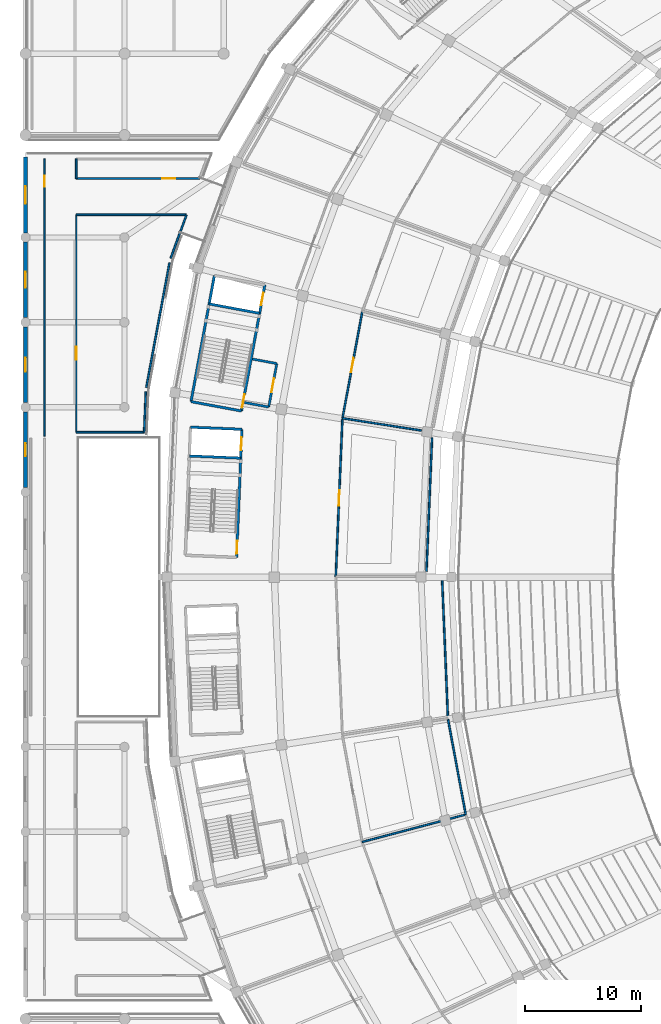
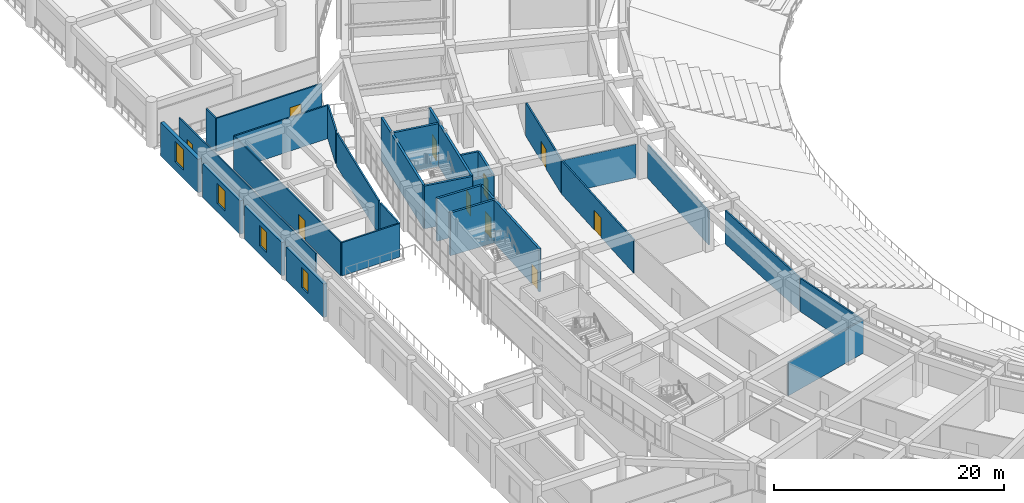
# One storey, part 100 of 152: 30 walls, 10 doors, 4 windows, 14 openings.
"""IFC4 building model written with IfcOpenShell, lengths in metres."""

from ifc_helpers import new_model, si_unit, direction, frame, frame_2d, origin, place, context, subcontext, project, spatial, rectangle, extrude, material, layer, layer_set, type_object, element, fill, save


model = new_model("IFC4")

# Units and contexts
model_context = context("Model", 3, precision=1e-05, world=origin(), true_north=direction((0.0, 1.0)))
body_context = subcontext(model_context, "Body", "Model", "MODEL_VIEW")
ifc_project = project(units=[si_unit("LENGTHUNIT", "METRE"), si_unit("AREAUNIT", "SQUARE_METRE"), si_unit("VOLUMEUNIT", "CUBIC_METRE"), si_unit("PLANEANGLEUNIT", "RADIAN"), si_unit("MASSUNIT", "GRAM", prefix="KILO")], contexts=[model_context])

# Site, building, storey
site_placement = place(None, origin())
site = spatial("IfcSite", under=ifc_project, at=site_placement, CompositionType="ELEMENT")
building_placement = place(site_placement, origin())
building = spatial("IfcBuilding", under=site, at=building_placement, Name="Mphavela Belvedere Stadium", CompositionType="ELEMENT")
storey_placement = place(building_placement, frame((0.0, 0.0, 5.39990234375)))
storey = spatial("IfcBuildingStorey", under=building, at=storey_placement, Name="L01", CompositionType="ELEMENT", Elevation=5.39990234375)

# Walls
ifc_material_1 = material(Name="Concrete C40/50", Category="concrete")
ifc_layer_1 = layer(ifc_material_1, 0.219970703125)
ifc_layer_set_1 = layer_set([ifc_layer_1], Name="Concrete C40/50")
wall_type_1 = type_object("IfcWallType", Name="WAL-CORE-SHEAR-220", PredefinedType="SHEAR", material=ifc_layer_set_1)
wall_1_placement = place(storey_placement, frame((14.228271484375, 102.085205078125, 0.0), z_axis=(0.0, 0.0, 1.0), x_axis=(0.182574755222, 0.983191974517, 0.0)))
element("IfcWall", 1, at=wall_1_placement, inside=storey, type_object=wall_type_1, Name="Core C06 shear wall L01 rear", PredefinedType="SHEAR", context=body_context, shape_type="SweptSolid", body=[
    extrude(rectangle(XDim=11.02001953125, YDim=0.219970703125, at=frame_2d((5.510009765625, 0.0))), origin(), (0.0, 0.0, 1.0), 4.550048828125),
])
wall_2_placement = place(storey_placement, frame((18.56396484375, 101.27978515625, 0.0), z_axis=(0.0, 0.0, 1.0), x_axis=(-0.983179789985, 0.182640358532, 0.0)))
element("IfcWall", 2, at=wall_2_placement, inside=storey, type_object=wall_type_1, Name="Core C06 shear wall L01 left", PredefinedType="SHEAR", context=body_context, shape_type="SweptSolid", body=[
    extrude(rectangle(XDim=4.409912109375, YDim=0.219970703125, at=frame_2d((2.205078125, 0.0))), origin(), (0.0, 0.0, 1.0), 4.550048828125),
])

# Wall, openings, doors
wall_3_placement = place(storey_placement, frame((18.56396484375, 101.27978515625, 0.0), z_axis=(0.0, 0.0, 1.0), x_axis=(0.182570778451, 0.983192712979, 0.0)))
wall_3 = element("IfcWall", 3, at=wall_3_placement, inside=storey, type_object=wall_type_1, Name="Core C06 shear wall L01 front", PredefinedType="SHEAR", context=body_context, shape_type="SweptSolid", body=[
    extrude(rectangle(XDim=11.020263671875, YDim=0.219970703125, at=frame_2d((5.51025390625, 0.0))), origin(), (0.0, 0.0, 1.0), 4.550048828125),
])
opening_1_placement = place(wall_3_placement, frame((0.300048828125, 0.0, 0.0)))
opening_1 = element("IfcOpeningElement", 4, at=opening_1_placement, cuts=wall_3, Name="Opening SD-028", PredefinedType="OPENING", context=body_context, shape_type="SweptSolid", body=[
    extrude(rectangle(XDim=1.14990234375, YDim=2.14990234375, at=frame_2d((0.574951171875, 1.074951171875))), frame((0.0, 0.1201171875, 0.0), z_axis=(0.0, -1.0, 0.0), x_axis=(1.0, 0.0, 0.0)), (0.0, 0.0, 1.0), 0.239990234375),
])
opening_2_placement = place(wall_3_placement, frame((9.22998046875, 0.0, 0.0)))
opening_2 = element("IfcOpeningElement", 5, at=opening_2_placement, cuts=wall_3, Name="Opening LD-028", PredefinedType="OPENING", context=body_context, shape_type="SweptSolid", body=[
    extrude(rectangle(XDim=1.10009765625, YDim=2.14990234375, at=frame_2d((0.550048828125, 1.074951171875))), frame((0.0, 0.1201171875, 0.0), z_axis=(0.0, -1.0, 0.0), x_axis=(1.0, 0.0, 0.0)), (0.0, 0.0, 1.0), 0.239990234375),
])
ifc_material_2 = material(Name="Stainless steel center-parting lift landing door", Category="steel")
door_type_1 = type_object("IfcDoorType", Name="DR-LIFT-SLIDE-1100", OperationType="NOTDEFINED", PredefinedType="DOOR", material=ifc_material_2)
door_1_placement = place(opening_2_placement, origin())
door_1 = element("IfcDoor", 6, at=door_1_placement, inside=storey, type_object=door_type_1, Name="Lift landing sliding door FL03 L01", OperationType="DOUBLE_DOOR_SLIDING", OverallHeight=2.14990234375, OverallWidth=1.10009765625, PredefinedType="DOOR", context=body_context, shape_type="SweptSolid", body=[
    extrude(rectangle(XDim=1.10009765625, YDim=2.14990234375, at=frame_2d((0.550048828125, 1.074951171875))), frame((0.0, 0.02490234375, 0.0), z_axis=(0.0, -1.0, 0.0), x_axis=(1.0, 0.0, 0.0)), (0.0, 0.0, 1.0), 0.050048828125),
])
fill(opening_2, door_1)
ifc_material_3 = material(Name="Steel acoustic fire-resisting stair doorset", Category="steel")
door_type_2 = type_object("IfcDoorType", Name="DR-STAIR-FIRE-1150", OperationType="NOTDEFINED", PredefinedType="DOOR", material=ifc_material_3)
door_2_placement = place(opening_1_placement, origin())
door_2 = element("IfcDoor", 7, at=door_2_placement, inside=storey, type_object=door_type_2, Name="Escape stair fire door C06 L01", OperationType="SINGLE_SWING_LEFT", OverallHeight=2.14990234375, OverallWidth=1.14990234375, PredefinedType="DOOR", context=body_context, shape_type="SweptSolid", body=[
    extrude(rectangle(XDim=1.14990234375, YDim=2.14990234375, at=frame_2d((0.574951171875, 1.074951171875))), frame((0.0, 0.02490234375, 0.0), z_axis=(0.0, -1.0, 0.0), x_axis=(1.0, 0.0, 0.0)), (0.0, 0.0, 1.0), 0.050048828125),
])
fill(opening_1, door_2)

# Walls
for number, where, z_axis, x_axis, name in (
    (8, (20.123291015625, 109.676513671875, 0.0), (0.0, 0.0, 1.0), (-0.983201511677, 0.182523388739, 0.0), "Core C06 shear wall L01 div"),
    (9, (18.60498046875, 99.701171875, 0.0), (0.0, 0.0, 1.0), (-0.999123741114, 0.041853911912, 0.0), "Core C07 shear wall L01 right"),
):
    element("IfcWall", number, at=place(storey_placement, frame(where, z_axis=z_axis, x_axis=x_axis)), inside=storey, type_object=wall_type_1, Name=name, PredefinedType="SHEAR", context=body_context, shape_type="SweptSolid", body=[
        extrude(rectangle(XDim=4.409912109375, YDim=0.219970703125, at=frame_2d((2.205078125, 0.0))), origin(), (0.0, 0.0, 1.0), 4.550048828125),
    ])

# Wall, openings, doors
wall_4_placement = place(storey_placement, frame((18.143798828125, 88.69091796875, 0.0), z_axis=(0.0, 0.0, 1.0), x_axis=(0.0418498618, 0.999123910768, 0.0)))
wall_4 = element("IfcWall", 10, at=wall_4_placement, inside=storey, type_object=wall_type_1, Name="Core C07 shear wall L01 front", PredefinedType="SHEAR", context=body_context, shape_type="SweptSolid", body=[
    extrude(rectangle(XDim=11.02001953125, YDim=0.219970703125, at=frame_2d((5.510009765625, 0.0))), origin(), (0.0, 0.0, 1.0), 4.550048828125),
])
opening_3_placement = place(wall_4_placement, frame((0.300048828125, 0.0, 0.0)))
opening_3 = element("IfcOpeningElement", 11, at=opening_3_placement, cuts=wall_4, Name="Opening SD-034", PredefinedType="OPENING", context=body_context, shape_type="SweptSolid", body=[
    extrude(rectangle(XDim=1.14990234375, YDim=2.14990234375, at=frame_2d((0.574951171875, 1.074951171875))), frame((0.0, 0.1201171875, 0.0), z_axis=(0.0, -1.0, 0.0), x_axis=(1.0, 0.0, 0.0)), (0.0, 0.0, 1.0), 0.239990234375),
])
opening_4_placement = place(wall_4_placement, frame((9.22998046875, 0.0, 0.0)))
opening_4 = element("IfcOpeningElement", 12, at=opening_4_placement, cuts=wall_4, Name="Opening LD-034", PredefinedType="OPENING", context=body_context, shape_type="SweptSolid", body=[
    extrude(rectangle(XDim=1.10009765625, YDim=2.14990234375, at=frame_2d((0.550048828125, 1.074951171875))), frame((0.0, 0.1201171875, 0.0), z_axis=(0.0, -1.0, 0.0), x_axis=(1.0, 0.0, 0.0)), (0.0, 0.0, 1.0), 0.239990234375),
])
door_3_placement = place(opening_4_placement, origin())
door_3 = element("IfcDoor", 13, at=door_3_placement, inside=storey, type_object=door_type_1, Name="Lift landing sliding door PL03 L01", OperationType="DOUBLE_DOOR_SLIDING", OverallHeight=2.14990234375, OverallWidth=1.10009765625, PredefinedType="DOOR", context=body_context, shape_type="SweptSolid", body=[
    extrude(rectangle(XDim=1.10009765625, YDim=2.14990234375, at=frame_2d((0.550048828125, 1.074951171875))), frame((0.0, 0.02490234375, 0.0), z_axis=(0.0, -1.0, 0.0), x_axis=(1.0, 0.0, 0.0)), (0.0, 0.0, 1.0), 0.050048828125),
])
fill(opening_4, door_3)
door_4_placement = place(opening_3_placement, origin())
door_4 = element("IfcDoor", 14, at=door_4_placement, inside=storey, type_object=door_type_2, Name="Escape stair fire door C07 L01", OperationType="SINGLE_SWING_RIGHT", OverallHeight=2.14990234375, OverallWidth=1.14990234375, PredefinedType="DOOR", context=body_context, shape_type="SweptSolid", body=[
    extrude(rectangle(XDim=1.14990234375, YDim=2.14990234375, at=frame_2d((0.574951171875, 1.074951171875))), frame((0.0, 0.02490234375, 0.0), z_axis=(0.0, -1.0, 0.0), x_axis=(1.0, 0.0, 0.0)), (0.0, 0.0, 1.0), 0.050048828125),
])
fill(opening_3, door_4)

# Wall
wall_5_placement = place(storey_placement, frame((18.501220703125, 97.223388671875, 0.0), z_axis=(0.0, 0.0, 1.0), x_axis=(-0.999123741114, 0.041853911912, 0.0)))
element("IfcWall", 15, at=wall_5_placement, inside=storey, type_object=wall_type_1, Name="Core C07 shear wall L01 div", PredefinedType="SHEAR", context=body_context, shape_type="SweptSolid", body=[
    extrude(rectangle(XDim=4.409912109375, YDim=0.219970703125, at=frame_2d((2.205078125, 0.0))), origin(), (0.0, 0.0, 1.0), 4.550048828125),
])

# Wall, opening, window
ifc_material_4 = material(Name="Honed ashlar limestone masonry", Category="masonry")
ifc_layer_2 = layer(ifc_material_4, 0.35009765625)
ifc_layer_set_2 = layer_set([ifc_layer_2], Name="Honed ashlar limestone masonry")
wall_type_2 = type_object("IfcWallType", Name="WAL-EXT-ASHLAR-350", PredefinedType="STANDARD", material=ifc_layer_set_2)
wall_6_placement = place(storey_placement, frame((0.0, 94.697998046875, 0.0), z_axis=(0.0, 0.0, 1.0), x_axis=(0.0, 1.0, 0.0)))
wall_6 = element("IfcWall", 16, at=wall_6_placement, inside=storey, type_object=wall_type_2, Name="West Planted Eaves Peristyle Colonnade outer facade bay L01-07", PredefinedType="STANDARD", context=body_context, shape_type="SweptSolid", body=[
    extrude(rectangle(XDim=6.50390625, YDim=0.35009765625, at=frame_2d((3.251953125, 0.0))), origin(), (0.0, 0.0, 1.0), 3.56005859375),
])
opening_5_placement = place(wall_6_placement, frame((2.701904296875, 0.0, 0.89990234375)))
opening_5 = element("IfcOpeningElement", 17, at=opening_5_placement, cuts=wall_6, Name="Opening W-254", PredefinedType="OPENING", context=body_context, shape_type="SweptSolid", body=[
    extrude(rectangle(XDim=1.10009765625, YDim=2.14990234375, at=frame_2d((0.550048828125, 1.074951171875))), frame((0.0, 0.18505859375, 0.0), z_axis=(0.0, -1.0, 0.0), x_axis=(1.0, 0.0, 0.0)), (0.0, 0.0, 1.0), 0.3701171875),
])
ifc_material_5 = material(Name="Bronze-anodised thermally broken aluminium window", Category="aluminium")
window_type_1 = type_object("IfcWindowType", Name="WIN-EXT-34", PartitioningType="SINGLE_PANEL", PredefinedType="WINDOW", material=ifc_material_5)
window_1_placement = place(opening_5_placement, origin())
window_1 = element("IfcWindow", 18, at=window_1_placement, inside=storey, type_object=window_type_1, Name="West Planted Eaves Peristyle Colonnade classical window W-254", OverallHeight=2.14990234375, OverallWidth=1.10009765625, PartitioningType="SINGLE_PANEL", PredefinedType="WINDOW", context=body_context, shape_type="SweptSolid", body=[
    extrude(rectangle(XDim=1.10009765625, YDim=2.14990234375, at=frame_2d((0.550048828125, 1.074951171875))), frame((0.0, 0.030029296875, 0.0), z_axis=(0.0, -1.0, 0.0), x_axis=(1.0, 0.0, 0.0)), (0.0, 0.0, 1.0), 0.06005859375),
])
fill(opening_5, window_1)

wall_7_placement = place(storey_placement, frame((0.0, 101.998046875, 0.0), z_axis=(0.0, 0.0, 1.0), x_axis=(0.0, 1.0, 0.0)))
wall_7 = element("IfcWall", 19, at=wall_7_placement, inside=storey, type_object=wall_type_2, Name="West Planted Eaves Peristyle Colonnade outer facade bay L01-08", PredefinedType="STANDARD", context=body_context, shape_type="SweptSolid", body=[
    extrude(rectangle(XDim=6.50390625, YDim=0.35009765625, at=frame_2d((3.251953125, 0.0))), origin(), (0.0, 0.0, 1.0), 3.56005859375),
])
opening_6_placement = place(wall_7_placement, frame((2.632080078125, 0.0, 0.89990234375)))
opening_6 = element("IfcOpeningElement", 20, at=opening_6_placement, cuts=wall_7, Name="Opening W-255", PredefinedType="OPENING", context=body_context, shape_type="SweptSolid", body=[
    extrude(rectangle(XDim=1.239990234375, YDim=2.14990234375, at=frame_2d((0.6201171875, 1.074951171875))), frame((0.0, 0.18505859375, 0.0), z_axis=(0.0, -1.0, 0.0), x_axis=(1.0, 0.0, 0.0)), (0.0, 0.0, 1.0), 0.3701171875),
])
ifc_material_6 = material(Name="Bronze-anodised thermally broken aluminium window", Category="aluminium")
window_type_2 = type_object("IfcWindowType", Name="WIN-EXT-35", PartitioningType="SINGLE_PANEL", PredefinedType="WINDOW", material=ifc_material_6)
window_2_placement = place(opening_6_placement, origin())
window_2 = element("IfcWindow", 21, at=window_2_placement, inside=storey, type_object=window_type_2, Name="West Planted Eaves Peristyle Colonnade classical window W-255", OverallHeight=2.14990234375, OverallWidth=1.239990234375, PartitioningType="SINGLE_PANEL", PredefinedType="WINDOW", context=body_context, shape_type="SweptSolid", body=[
    extrude(rectangle(XDim=1.239990234375, YDim=2.14990234375, at=frame_2d((0.6201171875, 1.074951171875))), frame((0.0, 0.030029296875, 0.0), z_axis=(0.0, -1.0, 0.0), x_axis=(1.0, 0.0, 0.0)), (0.0, 0.0, 1.0), 0.06005859375),
])
fill(opening_6, window_2)

wall_8_placement = place(storey_placement, frame((0.0, 109.298095703125, 0.0), z_axis=(0.0, 0.0, 1.0), x_axis=(0.0, 1.0, 0.0)))
wall_8 = element("IfcWall", 22, at=wall_8_placement, inside=storey, type_object=wall_type_2, Name="West Planted Eaves Peristyle Colonnade outer facade bay L01-09", PredefinedType="STANDARD", context=body_context, shape_type="SweptSolid", body=[
    extrude(rectangle(XDim=6.50390625, YDim=0.35009765625, at=frame_2d((3.251953125, 0.0))), origin(), (0.0, 0.0, 1.0), 3.56005859375),
])
opening_7_placement = place(wall_8_placement, frame((2.56201171875, 0.0, 0.89990234375)))
opening_7 = element("IfcOpeningElement", 23, at=opening_7_placement, cuts=wall_8, Name="Opening W-256", PredefinedType="OPENING", context=body_context, shape_type="SweptSolid", body=[
    extrude(rectangle(XDim=1.3798828125, YDim=2.14990234375, at=frame_2d((0.68994140625, 1.074951171875))), frame((0.0, 0.18505859375, 0.0), z_axis=(0.0, -1.0, 0.0), x_axis=(1.0, 0.0, 0.0)), (0.0, 0.0, 1.0), 0.3701171875),
])
ifc_material_7 = material(Name="Bronze-anodised thermally broken aluminium window", Category="aluminium")
window_type_3 = type_object("IfcWindowType", Name="WIN-EXT-36", PartitioningType="SINGLE_PANEL", PredefinedType="WINDOW", material=ifc_material_7)
window_3_placement = place(opening_7_placement, origin())
window_3 = element("IfcWindow", 24, at=window_3_placement, inside=storey, type_object=window_type_3, Name="West Planted Eaves Peristyle Colonnade classical window W-256", OverallHeight=2.14990234375, OverallWidth=1.3798828125, PartitioningType="SINGLE_PANEL", PredefinedType="WINDOW", context=body_context, shape_type="SweptSolid", body=[
    extrude(rectangle(XDim=1.3798828125, YDim=2.14990234375, at=frame_2d((0.68994140625, 1.074951171875))), frame((0.0, 0.030029296875, 0.0), z_axis=(0.0, -1.0, 0.0), x_axis=(1.0, 0.0, 0.0)), (0.0, 0.0, 1.0), 0.06005859375),
])
fill(opening_7, window_3)

wall_9_placement = place(storey_placement, frame((0.0, 116.597900390625, 0.0), z_axis=(0.0, 0.0, 1.0), x_axis=(0.0, 1.0, 0.0)))
wall_9 = element("IfcWall", 25, at=wall_9_placement, inside=storey, type_object=wall_type_2, Name="West Planted Eaves Peristyle Colonnade outer facade bay L01-10", PredefinedType="STANDARD", context=body_context, shape_type="SweptSolid", body=[
    extrude(rectangle(XDim=6.504150390625, YDim=0.35009765625, at=frame_2d((3.251953125, 0.0))), origin(), (0.0, 0.0, 1.0), 3.56005859375),
])
opening_8_placement = place(wall_9_placement, frame((2.491943359375, 0.0, 0.89990234375)))
opening_8 = element("IfcOpeningElement", 26, at=opening_8_placement, cuts=wall_9, Name="Opening W-257", PredefinedType="OPENING", context=body_context, shape_type="SweptSolid", body=[
    extrude(rectangle(XDim=1.52001953125, YDim=2.14990234375, at=frame_2d((0.760009765625, 1.074951171875))), frame((0.0, 0.18505859375, 0.0), z_axis=(0.0, -1.0, 0.0), x_axis=(1.0, 0.0, 0.0)), (0.0, 0.0, 1.0), 0.3701171875),
])
ifc_material_8 = material(Name="Bronze-anodised thermally broken aluminium window", Category="aluminium")
window_type_4 = type_object("IfcWindowType", Name="WIN-EXT-37", PartitioningType="SINGLE_PANEL", PredefinedType="WINDOW", material=ifc_material_8)
window_4_placement = place(opening_8_placement, origin())
window_4 = element("IfcWindow", 27, at=window_4_placement, inside=storey, type_object=window_type_4, Name="West Planted Eaves Peristyle Colonnade classical window W-257", OverallHeight=2.14990234375, OverallWidth=1.52001953125, PartitioningType="SINGLE_PANEL", PredefinedType="WINDOW", context=body_context, shape_type="SweptSolid", body=[
    extrude(rectangle(XDim=1.52001953125, YDim=2.14990234375, at=frame_2d((0.760009765625, 1.074951171875))), frame((0.0, 0.030029296875, 0.0), z_axis=(0.0, -1.0, 0.0), x_axis=(1.0, 0.0, 0.0)), (0.0, 0.0, 1.0), 0.06005859375),
])
fill(opening_8, window_4)

# Wall, opening, door
ifc_material_9 = material(Name="Moisture-resistant sanitary partition assembly")
ifc_layer_3 = layer(ifc_material_9, 0.125)
ifc_layer_set_3 = layer_set([ifc_layer_3], Name="Moisture-resistant sanitary partition assembly")
wall_type_3 = type_object("IfcWallType", Name="WAL-PART-125", PredefinedType="PARTITIONING", material=ifc_layer_set_3)
wall_10_placement = place(storey_placement, frame((1.639892578125, 122.949951171875, 0.0), z_axis=(0.0, 0.0, 1.0), x_axis=(0.0, -1.0, 0.0)))
wall_10 = element("IfcWall", 28, at=wall_10_placement, inside=storey, type_object=wall_type_3, Name="Room L01-192 corridor partition", PredefinedType="PARTITIONING", context=body_context, shape_type="SweptSolid", body=[
    extrude(rectangle(XDim=23.833251953125, YDim=0.125, at=frame_2d((11.91650390625, 0.0))), origin(), (0.0, 0.0, 1.0), 3.550048828125),
])
opening_9_placement = place(wall_10_placement, frame((1.4306640625, 0.0, 0.0)))
opening_9 = element("IfcOpeningElement", 29, at=opening_9_placement, cuts=wall_10, Name="Opening ID-507", PredefinedType="OPENING", context=body_context, shape_type="SweptSolid", body=[
    extrude(rectangle(XDim=0.97998046875, YDim=2.10009765625, at=frame_2d((0.489990234375, 1.050048828125))), frame((0.0, 0.072509765625, 0.0), z_axis=(0.0, -1.0, 0.0), x_axis=(1.0, 0.0, 0.0)), (0.0, 0.0, 1.0), 0.14501953125),
])
ifc_material_10 = material(Name="Hardwood acoustic timber doorset", Category="wood")
door_type_3 = type_object("IfcDoorType", Name="DR-INT-03", OperationType="NOTDEFINED", PredefinedType="DOOR", material=ifc_material_10)
door_5_placement = place(opening_9_placement, origin())
door_5 = element("IfcDoor", 30, at=door_5_placement, inside=storey, type_object=door_type_3, Name="Room L01-192 entrance door ID-507", OperationType="SINGLE_SWING_LEFT", OverallHeight=2.10009765625, OverallWidth=0.97998046875, PredefinedType="DOOR", context=body_context, shape_type="SweptSolid", body=[
    extrude(rectangle(XDim=0.97998046875, YDim=2.10009765625, at=frame_2d((0.489990234375, 1.050048828125))), frame((0.0, 0.02490234375, 0.0), z_axis=(0.0, -1.0, 0.0), x_axis=(1.0, 0.0, 0.0)), (0.0, 0.0, 1.0), 0.050048828125),
])
fill(opening_9, door_5)

wall_11_placement = place(storey_placement, frame((4.360107421875, 99.449951171875, 0.0), z_axis=(0.0, 0.0, 1.0), x_axis=(0.0, 1.0, 0.0)))
wall_11 = element("IfcWall", 31, at=wall_11_placement, inside=storey, type_object=wall_type_3, Name="Room L01-195 corridor partition", PredefinedType="PARTITIONING", context=body_context, shape_type="SweptSolid", body=[
    extrude(rectangle(XDim=18.68994140625, YDim=0.125, at=frame_2d((9.344970703125, 0.0))), origin(), (0.0, 0.0, 1.0), 3.550048828125),
])
opening_10_placement = place(wall_11_placement, frame((6.25244140625, 0.0, 0.0)))
opening_10 = element("IfcOpeningElement", 32, at=opening_10_placement, cuts=wall_11, Name="Opening ID-510", PredefinedType="OPENING", context=body_context, shape_type="SweptSolid", body=[
    extrude(rectangle(XDim=1.10009765625, YDim=2.10009765625, at=frame_2d((0.550048828125, 1.050048828125))), frame((0.0, 0.072509765625, 0.0), z_axis=(0.0, -1.0, 0.0), x_axis=(1.0, 0.0, 0.0)), (0.0, 0.0, 1.0), 0.14501953125),
])
ifc_material_11 = material(Name="Hardwood acoustic timber doorset", Category="wood")
door_type_4 = type_object("IfcDoorType", Name="DR-INT-06", OperationType="NOTDEFINED", PredefinedType="DOOR", material=ifc_material_11)
door_6_placement = place(opening_10_placement, origin())
door_6 = element("IfcDoor", 33, at=door_6_placement, inside=storey, type_object=door_type_4, Name="Room L01-195 entrance door ID-510", OperationType="SINGLE_SWING_RIGHT", OverallHeight=2.10009765625, OverallWidth=1.10009765625, PredefinedType="DOOR", context=body_context, shape_type="SweptSolid", body=[
    extrude(rectangle(XDim=1.10009765625, YDim=2.10009765625, at=frame_2d((0.550048828125, 1.050048828125))), frame((0.0, 0.02490234375, 0.0), z_axis=(0.0, -1.0, 0.0), x_axis=(1.0, 0.0, 0.0)), (0.0, 0.0, 1.0), 0.050048828125),
])
fill(opening_10, door_6)

ifc_material_12 = material(Name="Acoustic gypsum stud partition assembly")
ifc_layer_4 = layer(ifc_material_12, 0.14990234375)
ifc_layer_set_4 = layer_set([ifc_layer_4], Name="Acoustic gypsum stud partition assembly")
wall_type_4 = type_object("IfcWallType", Name="WAL-PART-150", PredefinedType="PARTITIONING", material=ifc_layer_set_4)
wall_12_placement = place(storey_placement, frame((27.251220703125, 100.65087890625, 0.0), z_axis=(0.0, 0.0, 1.0), x_axis=(0.182600545941, 0.983187184936, 0.0)))
wall_12 = element("IfcWall", 34, at=wall_12_placement, inside=storey, type_object=wall_type_4, Name="Room L01-92 corridor partition", PredefinedType="PARTITIONING", context=body_context, shape_type="SweptSolid", body=[
    extrude(rectangle(XDim=9.2841796875, YDim=0.14990234375, at=frame_2d((4.64208984375, 0.0))), origin(), (0.0, 0.0, 1.0), 3.550048828125),
])
opening_11_placement = place(wall_12_placement, frame((4.01220703125, 0.0, 0.0)))
opening_11 = element("IfcOpeningElement", 35, at=opening_11_placement, cuts=wall_12, Name="Opening ID-118", PredefinedType="OPENING", context=body_context, shape_type="SweptSolid", body=[
    extrude(rectangle(XDim=1.260009765625, YDim=2.10009765625, at=frame_2d((0.6298828125, 1.050048828125))), frame((0.0, 0.0849609375, 0.0), z_axis=(0.0, -1.0, 0.0), x_axis=(1.0, 0.0, 0.0)), (0.0, 0.0, 1.0), 0.169921875),
])
ifc_material_13 = material(Name="Hardwood acoustic timber doorset", Category="wood")
door_type_5 = type_object("IfcDoorType", Name="DR-INT-10", OperationType="NOTDEFINED", PredefinedType="DOOR", material=ifc_material_13)
door_7_placement = place(opening_11_placement, origin())
door_7 = element("IfcDoor", 36, at=door_7_placement, inside=storey, type_object=door_type_5, Name="Room L01-92 entrance door ID-118", OperationType="SINGLE_SWING_RIGHT", OverallHeight=2.10009765625, OverallWidth=1.260009765625, PredefinedType="DOOR", context=body_context, shape_type="SweptSolid", body=[
    extrude(rectangle(XDim=1.260009765625, YDim=2.10009765625, at=frame_2d((0.6298828125, 1.050048828125))), frame((0.0, 0.02490234375, 0.0), z_axis=(0.0, -1.0, 0.0), x_axis=(1.0, 0.0, 0.0)), (0.0, 0.0, 1.0), 0.050048828125),
])
fill(opening_11, door_7)

wall_13_placement = place(storey_placement, frame((26.6748046875, 87.0400390625, 0.0), z_axis=(0.0, 0.0, 1.0), x_axis=(0.041894479342, 0.999122040894, 0.0)))
wall_13 = element("IfcWall", 37, at=wall_13_placement, inside=storey, type_object=wall_type_4, Name="Room L01-94 corridor partition", PredefinedType="PARTITIONING", context=body_context, shape_type="SweptSolid", body=[
    extrude(rectangle(XDim=13.543212890625, YDim=0.14990234375, at=frame_2d((6.771484375, 0.0))), origin(), (0.0, 0.0, 1.0), 3.550048828125),
])
opening_12_placement = place(wall_13_placement, frame((6.111572265625, 0.0, 0.0)))
opening_12 = element("IfcOpeningElement", 38, at=opening_12_placement, cuts=wall_13, Name="Opening ID-119", PredefinedType="OPENING", context=body_context, shape_type="SweptSolid", body=[
    extrude(rectangle(XDim=1.320068359375, YDim=2.10009765625, at=frame_2d((0.66015625, 1.050048828125))), frame((0.0, 0.0849609375, 0.0), z_axis=(0.0, -1.0, 0.0), x_axis=(1.0, 0.0, 0.0)), (0.0, 0.0, 1.0), 0.169921875),
])
ifc_material_14 = material(Name="Hardwood acoustic timber doorset", Category="wood")
door_type_6 = type_object("IfcDoorType", Name="DR-INT-11", OperationType="NOTDEFINED", PredefinedType="DOOR", material=ifc_material_14)
door_8_placement = place(opening_12_placement, origin())
door_8 = element("IfcDoor", 39, at=door_8_placement, inside=storey, type_object=door_type_6, Name="Room L01-94 entrance door ID-119", OperationType="SINGLE_SWING_LEFT", OverallHeight=2.10009765625, OverallWidth=1.320068359375, PredefinedType="DOOR", context=body_context, shape_type="SweptSolid", body=[
    extrude(rectangle(XDim=1.320068359375, YDim=2.10009765625, at=frame_2d((0.66015625, 1.050048828125))), frame((0.0, 0.02490234375, 0.0), z_axis=(0.0, -1.0, 0.0), x_axis=(1.0, 0.0, 0.0)), (0.0, 0.0, 1.0), 0.050048828125),
])
fill(opening_12, door_8)

wall_14_placement = place(storey_placement, frame((14.968505859375, 121.260009765625, 0.0), z_axis=(0.0, 0.0, 1.0), x_axis=(-1.0, 0.0, 0.0)))
wall_14 = element("IfcWall", 40, at=wall_14_placement, inside=storey, type_object=wall_type_4, Name="Room L01-196 corridor partition", PredefinedType="PARTITIONING", context=body_context, shape_type="SweptSolid", body=[
    extrude(rectangle(XDim=10.6083984375, YDim=0.14990234375, at=frame_2d((5.30419921875, 0.0))), origin(), (0.0, 0.0, 1.0), 3.550048828125),
])
opening_13_placement = place(wall_14_placement, frame((2.085693359375, 0.0, 0.0)))
opening_13 = element("IfcOpeningElement", 41, at=opening_13_placement, cuts=wall_14, Name="Opening ID-511", PredefinedType="OPENING", context=body_context, shape_type="SweptSolid", body=[
    extrude(rectangle(XDim=1.139892578125, YDim=2.10009765625, at=frame_2d((0.56982421875, 1.050048828125))), frame((0.0, 0.0849609375, 0.0), z_axis=(0.0, -1.0, 0.0), x_axis=(1.0, 0.0, 0.0)), (0.0, 0.0, 1.0), 0.169921875),
])
ifc_material_15 = material(Name="Hardwood acoustic timber doorset", Category="wood")
door_type_7 = type_object("IfcDoorType", Name="DR-INT-07", OperationType="NOTDEFINED", PredefinedType="DOOR", material=ifc_material_15)
door_9_placement = place(opening_13_placement, origin())
door_9 = element("IfcDoor", 42, at=door_9_placement, inside=storey, type_object=door_type_7, Name="Room L01-196 entrance door ID-511", OperationType="SINGLE_SWING_LEFT", OverallHeight=2.10009765625, OverallWidth=1.139892578125, PredefinedType="DOOR", context=body_context, shape_type="SweptSolid", body=[
    extrude(rectangle(XDim=1.139892578125, YDim=2.10009765625, at=frame_2d((0.56982421875, 1.050048828125))), frame((0.0, 0.02490234375, 0.0), z_axis=(0.0, -1.0, 0.0), x_axis=(1.0, 0.0, 0.0)), (0.0, 0.0, 1.0), 0.050048828125),
])
fill(opening_13, door_9)

# Walls
wall_15_placement = place(storey_placement, frame((34.04052734375, 99.597900390625, 0.0), z_axis=(0.0, 0.0, 1.0), x_axis=(-0.98818569034, 0.15326135001, 0.0)))
element("IfcWall", 43, at=wall_15_placement, inside=storey, type_object=wall_type_4, Name="Room divider partition L01-0208", PredefinedType="PARTITIONING", context=body_context, shape_type="SweptSolid", body=[
    extrude(rectangle(XDim=6.870361328125, YDim=0.14990234375, at=frame_2d((3.43505859375, 0.0))), origin(), (0.0, 0.0, 1.0), 3.550048828125),
])
wall_16_placement = place(storey_placement, frame((34.95166015625, 98.96337890625, 0.0), z_axis=(0.0, 0.0, 1.0), x_axis=(-0.041892091811, -0.999122141004, 0.0)))
element("IfcWall", 44, at=wall_16_placement, inside=storey, type_object=wall_type_4, Name="Room divider partition L01-0209", PredefinedType="PARTITIONING", context=body_context, shape_type="SweptSolid", body=[
    extrude(rectangle(XDim=11.492431640625, YDim=0.14990234375, at=frame_2d((5.74609375, 0.0))), origin(), (0.0, 0.0, 1.0), 3.550048828125),
])
wall_17_placement = place(storey_placement, frame((35.8095703125, 86.9599609375, 0.0), z_axis=(0.0, 0.0, 1.0), x_axis=(0.041909219346, -0.999121422718, 0.0)))
element("IfcWall", 45, at=wall_17_placement, inside=storey, type_object=wall_type_4, Name="Room divider partition L01-0211", PredefinedType="PARTITIONING", context=body_context, shape_type="SweptSolid", body=[
    extrude(rectangle(XDim=12.134521484375, YDim=0.14990234375, at=frame_2d((6.0673828125, 0.0))), origin(), (0.0, 0.0, 1.0), 3.550048828125),
])
wall_18_placement = place(storey_placement, frame((36.327392578125, 74.7568359375, 0.0), z_axis=(0.0, 0.0, 1.0), x_axis=(0.182614898171, -0.983184519287, 0.0)))
element("IfcWall", 46, at=wall_18_placement, inside=storey, type_object=wall_type_4, Name="Room divider partition L01-0213", PredefinedType="PARTITIONING", context=body_context, shape_type="SweptSolid", body=[
    extrude(rectangle(XDim=8.315673828125, YDim=0.14990234375, at=frame_2d((4.15771484375, 0.0))), origin(), (0.0, 0.0, 1.0), 3.550048828125),
])
wall_19_placement = place(storey_placement, frame((37.845947265625, 66.5810546875, 0.0), z_axis=(0.0, 0.0, 1.0), x_axis=(-0.96658744027, -0.256337122383, 0.0)))
element("IfcWall", 47, at=wall_19_placement, inside=storey, type_object=wall_type_4, Name="Room divider partition L01-0214", PredefinedType="PARTITIONING", context=body_context, shape_type="SweptSolid", body=[
    extrude(rectangle(XDim=9.20703125, YDim=0.14990234375, at=frame_2d((4.603515625, 0.0))), origin(), (0.0, 0.0, 1.0), 3.550048828125),
])
wall_20_placement = place(storey_placement, frame((12.37744140625, 114.01904296875, 0.0), z_axis=(0.0, 0.0, 1.0), x_axis=(-0.182620957058, -0.983183393901, 0.0)))
element("IfcWall", 48, at=wall_20_placement, inside=storey, type_object=wall_type_4, Name="Room divider partition L01-1159", PredefinedType="PARTITIONING", context=body_context, shape_type="SweptSolid", body=[
    extrude(rectangle(XDim=10.90087890625, YDim=0.14990234375, at=frame_2d((5.450439453125, 0.0))), origin(), (0.0, 0.0, 1.0), 3.550048828125),
])
wall_21_placement = place(storey_placement, frame((10.3466796875, 102.94970703125, 0.0), z_axis=(0.0, 0.0, 1.0), x_axis=(-0.041888559174, -0.999122289117, 0.0)))
element("IfcWall", 49, at=wall_21_placement, inside=storey, type_object=wall_type_4, Name="Room divider partition L01-1160", PredefinedType="PARTITIONING", context=body_context, shape_type="SweptSolid", body=[
    extrude(rectangle(XDim=3.5029296875, YDim=0.14990234375, at=frame_2d((1.75146484375, 0.0))), origin(), (0.0, 0.0, 1.0), 3.550048828125),
])
wall_22_placement = place(storey_placement, frame((10.199951171875, 99.449951171875, 0.0), z_axis=(0.0, 0.0, 1.0), x_axis=(-1.0, 0.0, 0.0)))
element("IfcWall", 50, at=wall_22_placement, inside=storey, type_object=wall_type_4, Name="Room divider partition L01-1161", PredefinedType="PARTITIONING", context=body_context, shape_type="SweptSolid", body=[
    extrude(rectangle(XDim=5.83984375, YDim=0.14990234375, at=frame_2d((2.919921875, 0.0))), origin(), (0.0, 0.0, 1.0), 3.550048828125),
])
wall_23_placement = place(storey_placement, frame((4.360107421875, 118.139892578125, 0.0), z_axis=(0.0, 0.0, 1.0), x_axis=(1.0, 0.0, 0.0)))
element("IfcWall", 51, at=wall_23_placement, inside=storey, type_object=wall_type_4, Name="Room divider partition L01-1162", PredefinedType="PARTITIONING", context=body_context, shape_type="SweptSolid", body=[
    extrude(rectangle(XDim=9.4765625, YDim=0.14990234375, at=frame_2d((4.73828125, 0.0))), origin(), (0.0, 0.0, 1.0), 3.550048828125),
])
wall_24_placement = place(storey_placement, frame((13.836669921875, 118.139892578125, 0.0), z_axis=(0.0, 0.0, 1.0), x_axis=(-0.341035525383, -0.94005040845, 0.0)))
element("IfcWall", 52, at=wall_24_placement, inside=storey, type_object=wall_type_4, Name="Room divider partition L01-1163", PredefinedType="PARTITIONING", context=body_context, shape_type="SweptSolid", body=[
    extrude(rectangle(XDim=3.96240234375, YDim=0.14990234375, at=frame_2d((1.981201171875, 0.0))), origin(), (0.0, 0.0, 1.0), 3.550048828125),
])
wall_25_placement = place(storey_placement, frame((4.360107421875, 121.260009765625, 0.0), z_axis=(0.0, 0.0, 1.0), x_axis=(0.0, 1.0, 0.0)))
element("IfcWall", 53, at=wall_25_placement, inside=storey, type_object=wall_type_4, Name="Room divider partition L01-1164", PredefinedType="PARTITIONING", context=body_context, shape_type="SweptSolid", body=[
    extrude(rectangle(XDim=1.68994140625, YDim=0.14990234375, at=frame_2d((0.844970703125, 0.0))), origin(), (0.0, 0.0, 1.0), 3.550048828125),
])

# Wall, opening, door
ifc_material_16 = material(Name="Fire-rated calcium silicate partition assembly")
ifc_layer_5 = layer(ifc_material_16, 0.199951171875)
ifc_layer_set_5 = layer_set([ifc_layer_5], Name="Fire-rated calcium silicate partition assembly")
wall_type_5 = type_object("IfcWallType", Name="WAL-PART-FF-200", PredefinedType="PARTITIONING", material=ifc_layer_set_5)
wall_26_placement = place(storey_placement, frame((20.909912109375, 101.6171875, 0.0), z_axis=(0.0, 0.0, 1.0), x_axis=(0.18258154775, 0.983190713148, 0.0)))
wall_26 = element("IfcWall", 54, at=wall_26_placement, inside=storey, type_object=wall_type_5, Name="Firefighting lobby front wall C06 L01", PredefinedType="PARTITIONING", context=body_context, shape_type="SweptSolid", body=[
    extrude(rectangle(XDim=3.80029296875, YDim=0.199951171875, at=frame_2d((1.900146484375, 0.0))), origin(), (0.0, 0.0, 1.0), 3.650146484375),
])
opening_14_placement = place(wall_26_placement, frame((1.300048828125, 0.0, 0.0)))
opening_14 = element("IfcOpeningElement", 55, at=opening_14_placement, cuts=wall_26, Name="Opening FD-012", PredefinedType="OPENING", context=body_context, shape_type="SweptSolid", body=[
    extrude(rectangle(XDim=1.199951171875, YDim=2.179931640625, at=frame_2d((0.60009765625, 1.08984375))), frame((0.0, 0.10986328125, 0.0), z_axis=(0.0, -1.0, 0.0), x_axis=(1.0, 0.0, 0.0)), (0.0, 0.0, 1.0), 0.219970703125),
])
ifc_material_17 = material(Name="Steel smoke-sealed firefighting lobby doorset", Category="steel")
door_type_8 = type_object("IfcDoorType", Name="DR-FF-LOBBY-1200", OperationType="NOTDEFINED", PredefinedType="DOOR", material=ifc_material_17)
door_10_placement = place(opening_14_placement, origin())
door_10 = element("IfcDoor", 56, at=door_10_placement, inside=storey, type_object=door_type_8, Name="Firefighting lobby door C06 L01", OperationType="SINGLE_SWING_RIGHT", OverallHeight=2.179931640625, OverallWidth=1.199951171875, PredefinedType="DOOR", context=body_context, shape_type="SweptSolid", body=[
    extrude(rectangle(XDim=1.199951171875, YDim=2.179931640625, at=frame_2d((0.60009765625, 1.08984375))), frame((0.0, 0.02490234375, 0.0), z_axis=(0.0, -1.0, 0.0), x_axis=(1.0, 0.0, 0.0)), (0.0, 0.0, 1.0), 0.050048828125),
])
fill(opening_14, door_10)

# Walls
for number, where, z_axis, x_axis, name in (
    (57, (20.909912109375, 101.6171875, 0.0), (0.0, 0.0, 1.0), (-0.983177215189, 0.182654218495, 0.0), "Firefighting lobby side wall L C06 L01"),
    (58, (21.603759765625, 105.353515625, 0.0), (0.0, 0.0, 1.0), (-0.983197891107, 0.182542890641, 0.0), "Firefighting lobby side wall R C06 L01"),
):
    element("IfcWall", number, at=place(storey_placement, frame(where, z_axis=z_axis, x_axis=x_axis)), inside=storey, type_object=wall_type_5, Name=name, PredefinedType="PARTITIONING", context=body_context, shape_type="SweptSolid", body=[
        extrude(rectangle(XDim=2.119873046875, YDim=0.199951171875, at=frame_2d((1.06005859375, 0.0))), origin(), (0.0, 0.0, 1.0), 3.650146484375),
    ])

save(model, "model.ifc")
